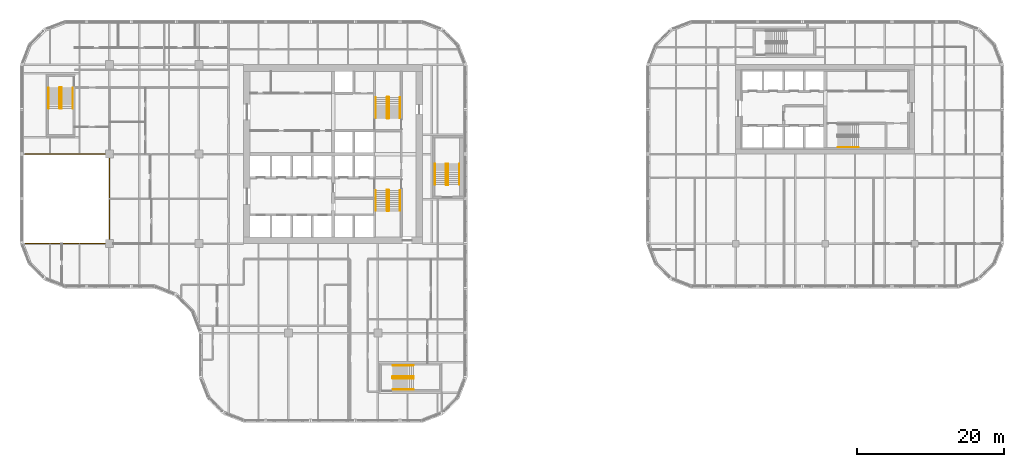
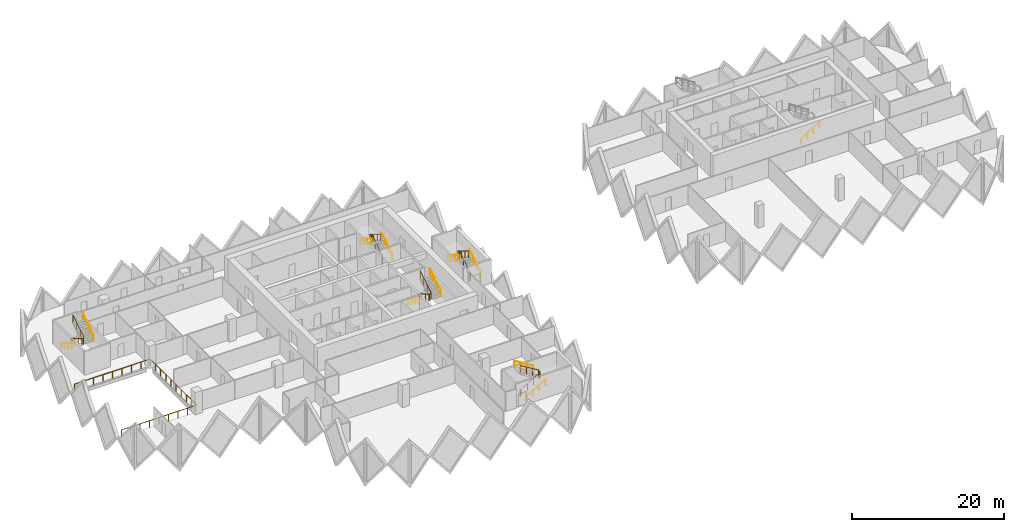
# One storey, part 17 of 18: 17 railings.
"""IFC4 building model written with IfcOpenShell, lengths in metres."""

from ifc_helpers import new_model, si_unit, direction, frame, origin, origin_2d, place, context, subcontext, project, spatial, circle, extrude, material, type_object, element, save


model = new_model("IFC4")

# Units and contexts
model_context = context("Model", 3, precision=1e-05, world=origin(), true_north=direction((0.0, 1.0)))
body_context = subcontext(model_context, "Body", "Model", "MODEL_VIEW")
ifc_project = project(units=[si_unit("LENGTHUNIT", "METRE"), si_unit("AREAUNIT", "SQUARE_METRE"), si_unit("VOLUMEUNIT", "CUBIC_METRE"), si_unit("PLANEANGLEUNIT", "RADIAN"), si_unit("MASSUNIT", "GRAM", prefix="KILO")], contexts=[model_context])

# Site, building, storey
site_placement = place(None, origin())
site = spatial("IfcSite", under=ifc_project, at=site_placement, CompositionType="ELEMENT")
building_placement = place(site_placement, origin())
building = spatial("IfcBuilding", under=site, at=building_placement, Name="Tessera Gate Towers", CompositionType="ELEMENT")
storey_placement = place(building_placement, frame((0.0, 0.0, 41.0)))
storey = spatial("IfcBuildingStorey", under=building, at=storey_placement, Name="L09", CompositionType="ELEMENT", Elevation=41.0)

# Railings
ifc_material_1 = material(Name="Toughened glass with stainless steel handrail", Category="steel")
railing_type_1 = type_object("IfcRailingType", Name="GUARD 1100 GLASS BALUSTRADE", PredefinedType="GUARDRAIL", material=ifc_material_1)
railing_1_placement = place(storey_placement, frame((0.750244140625, 24.39990234375, 0.0)))
element("IfcRailing", 1, at=railing_1_placement, inside=storey, type_object=railing_type_1, Name="Guard", PredefinedType="GUARDRAIL", context=body_context, shape_type="SweptSolid", body=[
    extrude(circle(Radius=0.02490234375, at=origin_2d()), frame((0.0, 0.0, 1.0751953125), z_axis=(1.0, 0.0, 0.0), x_axis=(0.0, 1.0, 0.0)), (0.0, 0.0, 1.0), 11.44970703125),
    extrude(circle(Radius=0.02490234375, at=origin_2d()), frame((11.44970703125, 0.0, 1.0751953125), z_axis=(0.0, 1.0, 0.0), x_axis=(-1.0, 0.0, 0.0)), (0.0, 0.0, 1.0), 12.2001953125),
    extrude(circle(Radius=0.02490234375, at=origin_2d()), frame((11.44970703125, 12.2001953125, 1.0751953125), z_axis=(-1.0, 0.0, 0.0), x_axis=(0.0, -1.0, 0.0)), (0.0, 0.0, 1.0), 11.5),
    extrude(circle(Radius=0.02490234375, at=origin_2d()), origin(), (0.0, 0.0, 1.0), 1.050048828125),
    extrude(circle(Radius=0.02490234375, at=origin_2d()), frame((1.43115234375, 0.0, 0.0)), (0.0, 0.0, 1.0), 1.050048828125),
    extrude(circle(Radius=0.02490234375, at=origin_2d()), frame((2.8623046875, 0.0, 0.0)), (0.0, 0.0, 1.0), 1.050048828125),
    extrude(circle(Radius=0.02490234375, at=origin_2d()), frame((4.293701171875, 0.0, 0.0)), (0.0, 0.0, 1.0), 1.050048828125),
    extrude(circle(Radius=0.02490234375, at=origin_2d()), frame((5.724853515625, 0.0, 0.0)), (0.0, 0.0, 1.0), 1.050048828125),
    extrude(circle(Radius=0.02490234375, at=origin_2d()), frame((7.156005859375, 0.0, 0.0)), (0.0, 0.0, 1.0), 1.050048828125),
    extrude(circle(Radius=0.02490234375, at=origin_2d()), frame((8.58740234375, 0.0, 0.0)), (0.0, 0.0, 1.0), 1.050048828125),
    extrude(circle(Radius=0.02490234375, at=origin_2d()), frame((10.0185546875, 0.0, 0.0)), (0.0, 0.0, 1.0), 1.050048828125),
    extrude(circle(Radius=0.02490234375, at=origin_2d()), frame((11.44970703125, 0.0, 0.0)), (0.0, 0.0, 1.0), 1.050048828125),
    extrude(circle(Radius=0.02490234375, at=origin_2d()), frame((11.44970703125, 1.35546875, 0.0)), (0.0, 0.0, 1.0), 1.050048828125),
    extrude(circle(Radius=0.02490234375, at=origin_2d()), frame((11.44970703125, 2.711181640625, 0.0)), (0.0, 0.0, 1.0), 1.050048828125),
    extrude(circle(Radius=0.02490234375, at=origin_2d()), frame((11.44970703125, 4.066650390625, 0.0)), (0.0, 0.0, 1.0), 1.050048828125),
    extrude(circle(Radius=0.02490234375, at=origin_2d()), frame((11.44970703125, 5.42236328125, 0.0)), (0.0, 0.0, 1.0), 1.050048828125),
    extrude(circle(Radius=0.02490234375, at=origin_2d()), frame((11.44970703125, 6.77783203125, 0.0)), (0.0, 0.0, 1.0), 1.050048828125),
    extrude(circle(Radius=0.02490234375, at=origin_2d()), frame((11.44970703125, 8.133544921875, 0.0)), (0.0, 0.0, 1.0), 1.050048828125),
    extrude(circle(Radius=0.02490234375, at=origin_2d()), frame((11.44970703125, 9.489013671875, 0.0)), (0.0, 0.0, 1.0), 1.050048828125),
    extrude(circle(Radius=0.02490234375, at=origin_2d()), frame((11.44970703125, 10.8447265625, 0.0)), (0.0, 0.0, 1.0), 1.050048828125),
    extrude(circle(Radius=0.02490234375, at=origin_2d()), frame((11.44970703125, 12.2001953125, 0.0)), (0.0, 0.0, 1.0), 1.050048828125),
    extrude(circle(Radius=0.02490234375, at=origin_2d()), frame((10.01220703125, 12.2001953125, 0.0)), (0.0, 0.0, 1.0), 1.050048828125),
    extrude(circle(Radius=0.02490234375, at=origin_2d()), frame((8.57470703125, 12.2001953125, 0.0)), (0.0, 0.0, 1.0), 1.050048828125),
    extrude(circle(Radius=0.02490234375, at=origin_2d()), frame((7.13720703125, 12.2001953125, 0.0)), (0.0, 0.0, 1.0), 1.050048828125),
    extrude(circle(Radius=0.02490234375, at=origin_2d()), frame((5.69970703125, 12.2001953125, 0.0)), (0.0, 0.0, 1.0), 1.050048828125),
    extrude(circle(Radius=0.02490234375, at=origin_2d()), frame((4.26220703125, 12.2001953125, 0.0)), (0.0, 0.0, 1.0), 1.050048828125),
    extrude(circle(Radius=0.02490234375, at=origin_2d()), frame((2.82470703125, 12.2001953125, 0.0)), (0.0, 0.0, 1.0), 1.050048828125),
    extrude(circle(Radius=0.02490234375, at=origin_2d()), frame((1.38720703125, 12.2001953125, 0.0)), (0.0, 0.0, 1.0), 1.050048828125),
    extrude(circle(Radius=0.02490234375, at=origin_2d()), frame((-0.05029296875, 12.2001953125, 0.0)), (0.0, 0.0, 1.0), 1.050048828125),
])
ifc_material_2 = material(Name="Steel 350W", Category="steel")
railing_type_2 = type_object("IfcRailingType", Name="STAIR GUARD 1100", PredefinedType="GUARDRAIL", material=ifc_material_2)
railing_2_placement = place(storey_placement, frame((50.27490234375, 31.72509765625, 0.0)))
element("IfcRailing", 2, at=railing_2_placement, inside=storey, type_object=railing_type_2, Name="L09 ST1 stair guard 1", PredefinedType="GUARDRAIL", context=body_context, shape_type="SweptSolid", body=[
    extrude(circle(Radius=0.02392578125, at=origin_2d()), frame((0.0, 0.0, 1.076171875), z_axis=(-1.0, 0.0, 0.0), x_axis=(0.0, -1.0, 0.0)), (0.0, 0.0, 1.0), 0.199951171875),
    extrude(circle(Radius=0.02392578125, at=origin_2d()), frame((-0.199951171875, 0.0, 1.076171875), z_axis=(-0.268277960024, -0.268277960024, 0.925231793839), x_axis=(0.707106781187, -0.707106781187, 0.0)), (0.0, 0.0, 1.0), 0.1865234375),
    extrude(circle(Radius=0.02392578125, at=origin_2d()), frame((-0.25, -0.050048828125, 1.24853515625), z_axis=(0.0, -0.851089632645, 0.525020415988), x_axis=(1.0, 0.0, 0.0)), (0.0, 0.0, 1.0), 3.2900390625),
    extrude(circle(Radius=0.02392578125, at=origin_2d()), frame((-0.25, -2.85009765625, 2.97607421875), z_axis=(0.707106781187, -0.707106781187, 0.0), x_axis=(0.707106781187, 0.707106781187, 0.0)), (0.0, 0.0, 1.0), 0.07080078125),
    extrude(circle(Radius=0.02392578125, at=origin_2d()), frame((-0.199951171875, -2.900146484375, 2.97607421875), z_axis=(1.0, 0.0, 0.0), x_axis=(0.0, 1.0, 0.0)), (0.0, 0.0, 1.0), 0.199951171875),
    extrude(circle(Radius=0.02392578125, at=origin_2d()), frame((0.0, -2.900146484375, 2.97607421875), z_axis=(0.267953482034, 0.267953482034, 0.925419830635), x_axis=(-0.707106781187, 0.707106781187, 0.0)), (0.0, 0.0, 1.0), 0.186767578125),
    extrude(circle(Radius=0.02392578125, at=origin_2d()), frame((0.050048828125, -2.85009765625, 3.14892578125), z_axis=(0.0, 0.851089632645, 0.525020415988), x_axis=(-1.0, 0.0, 0.0)), (0.0, 0.0, 1.0), 3.2900390625),
    extrude(circle(Radius=0.02099609375, at=origin_2d()), origin(), (0.0, 0.0, 1.0), 1.052001953125),
    extrude(circle(Radius=0.02099609375, at=origin_2d()), frame((-0.199951171875, 0.0, 0.0)), (0.0, 0.0, 1.0), 1.052001953125),
    extrude(circle(Radius=0.02099609375, at=origin_2d()), frame((-0.25, -0.050048828125, 0.172607421875)), (0.0, 0.0, 1.0), 1.052001953125),
    extrude(circle(Radius=0.02099609375, at=origin_2d()), frame((-0.25, -0.9833984375, 0.748291015625)), (0.0, 0.0, 1.0), 1.052001953125),
    extrude(circle(Radius=0.02099609375, at=origin_2d()), frame((-0.25, -1.916748046875, 1.32421875)), (0.0, 0.0, 1.0), 1.052001953125),
    extrude(circle(Radius=0.02099609375, at=origin_2d()), frame((-0.25, -2.85009765625, 1.89990234375)), (0.0, 0.0, 1.0), 1.052001953125),
    extrude(circle(Radius=0.02099609375, at=origin_2d()), frame((-0.199951171875, -2.900146484375, 1.89990234375)), (0.0, 0.0, 1.0), 1.052001953125),
    extrude(circle(Radius=0.02099609375, at=origin_2d()), frame((0.0, -2.900146484375, 1.89990234375)), (0.0, 0.0, 1.0), 1.052001953125),
    extrude(circle(Radius=0.02099609375, at=origin_2d()), frame((0.050048828125, -2.85009765625, 2.07275390625)), (0.0, 0.0, 1.0), 1.052001953125),
    extrude(circle(Radius=0.02099609375, at=origin_2d()), frame((0.050048828125, -1.916748046875, 2.6484375)), (0.0, 0.0, 1.0), 1.052001953125),
    extrude(circle(Radius=0.02099609375, at=origin_2d()), frame((0.050048828125, -0.9833984375, 3.224365234375)), (0.0, 0.0, 1.0), 1.052001953125),
    extrude(circle(Radius=0.02099609375, at=origin_2d()), frame((0.050048828125, -0.050048828125, 3.800048828125)), (0.0, 0.0, 1.0), 1.052001953125),
])
railing_3_placement = place(storey_placement, frame((50.074951171875, 41.47509765625, 0.0)))
element("IfcRailing", 3, at=railing_3_placement, inside=storey, type_object=railing_type_2, Name="L09 ST2 stair guard 1", PredefinedType="GUARDRAIL", context=body_context, shape_type="SweptSolid", body=[
    extrude(circle(Radius=0.02392578125, at=origin_2d()), frame((0.0, 0.0, 1.076171875), z_axis=(1.0, 0.0, 0.0), x_axis=(0.0, 1.0, 0.0)), (0.0, 0.0, 1.0), 0.199951171875),
    extrude(circle(Radius=0.02392578125, at=origin_2d()), frame((0.199951171875, 0.0, 1.076171875), z_axis=(0.268371968888, 0.267062837333, 0.925556009775), x_axis=(-0.705375805398, 0.708833529934, 0.0)), (0.0, 0.0, 1.0), 0.1865234375),
    extrude(circle(Radius=0.02392578125, at=origin_2d()), frame((0.25, 0.0498046875, 1.24853515625), z_axis=(0.0, 0.851089632645, 0.525020415988), x_axis=(-1.0, 0.0, 0.0)), (0.0, 0.0, 1.0), 3.2900390625),
    extrude(circle(Radius=0.02392578125, at=origin_2d()), frame((0.25, 2.849853515625, 2.97607421875), z_axis=(-0.707106781187, 0.707106781187, 0.0), x_axis=(-0.707106781187, -0.707106781187, 0.0)), (0.0, 0.0, 1.0), 0.07080078125),
    extrude(circle(Radius=0.02392578125, at=origin_2d()), frame((0.199951171875, 2.89990234375, 2.97607421875), z_axis=(-1.0, 0.0, 0.0), x_axis=(0.0, -1.0, 0.0)), (0.0, 0.0, 1.0), 0.199951171875),
    extrude(circle(Radius=0.02392578125, at=origin_2d()), frame((0.0, 2.89990234375, 2.97607421875), z_axis=(-0.267953482034, -0.267953482034, 0.925419830635), x_axis=(0.707106781187, -0.707106781187, 0.0)), (0.0, 0.0, 1.0), 0.186767578125),
    extrude(circle(Radius=0.02392578125, at=origin_2d()), frame((-0.050048828125, 2.849853515625, 3.14892578125), z_axis=(0.0, -0.851089632645, 0.525020415988), x_axis=(1.0, 0.0, 0.0)), (0.0, 0.0, 1.0), 3.2900390625),
    extrude(circle(Radius=0.02099609375, at=origin_2d()), origin(), (0.0, 0.0, 1.0), 1.052001953125),
    extrude(circle(Radius=0.02099609375, at=origin_2d()), frame((0.199951171875, 0.0, 0.0)), (0.0, 0.0, 1.0), 1.052001953125),
    extrude(circle(Radius=0.02099609375, at=origin_2d()), frame((0.25, 0.0498046875, 0.172607421875)), (0.0, 0.0, 1.0), 1.052001953125),
    extrude(circle(Radius=0.02099609375, at=origin_2d()), frame((0.25, 0.983154296875, 0.748291015625)), (0.0, 0.0, 1.0), 1.052001953125),
    extrude(circle(Radius=0.02099609375, at=origin_2d()), frame((0.25, 1.91650390625, 1.32421875)), (0.0, 0.0, 1.0), 1.052001953125),
    extrude(circle(Radius=0.02099609375, at=origin_2d()), frame((0.25, 2.849853515625, 1.89990234375)), (0.0, 0.0, 1.0), 1.052001953125),
    extrude(circle(Radius=0.02099609375, at=origin_2d()), frame((0.199951171875, 2.89990234375, 1.89990234375)), (0.0, 0.0, 1.0), 1.052001953125),
    extrude(circle(Radius=0.02099609375, at=origin_2d()), frame((0.0, 2.89990234375, 1.89990234375)), (0.0, 0.0, 1.0), 1.052001953125),
    extrude(circle(Radius=0.02099609375, at=origin_2d()), frame((-0.050048828125, 2.849853515625, 2.07275390625)), (0.0, 0.0, 1.0), 1.052001953125),
    extrude(circle(Radius=0.02099609375, at=origin_2d()), frame((-0.050048828125, 1.91650390625, 2.6484375)), (0.0, 0.0, 1.0), 1.052001953125),
    extrude(circle(Radius=0.02099609375, at=origin_2d()), frame((-0.050048828125, 0.983154296875, 3.224365234375)), (0.0, 0.0, 1.0), 1.052001953125),
    extrude(circle(Radius=0.02099609375, at=origin_2d()), frame((-0.050048828125, 0.0498046875, 3.800048828125)), (0.0, 0.0, 1.0), 1.052001953125),
])
railing_4_placement = place(storey_placement, frame((5.64990234375, 45.699951171875, 0.0)))
element("IfcRailing", 4, at=railing_4_placement, inside=storey, type_object=railing_type_2, Name="L09 ST3 stair guard 1", PredefinedType="GUARDRAIL", context=body_context, shape_type="SweptSolid", body=[
    extrude(circle(Radius=0.02392578125, at=origin_2d()), frame((0.0, 0.0, 1.076171875), z_axis=(-1.0, 0.0, 0.0), x_axis=(0.0, -1.0, 0.0)), (0.0, 0.0, 1.0), 0.199951171875),
    extrude(circle(Radius=0.02392578125, at=origin_2d()), frame((-0.199951171875, 0.0, 1.076171875), z_axis=(-0.268277960024, -0.268277960024, 0.925231793839), x_axis=(0.707106781187, -0.707106781187, 0.0)), (0.0, 0.0, 1.0), 0.1865234375),
    extrude(circle(Radius=0.02392578125, at=origin_2d()), frame((-0.25, -0.050048828125, 1.24853515625), z_axis=(0.0, -0.851069175582, 0.525053576669), x_axis=(1.0, 0.0, 0.0)), (0.0, 0.0, 1.0), 3.289794921875),
    extrude(circle(Radius=0.02392578125, at=origin_2d()), frame((-0.25, -2.849853515625, 2.97607421875), z_axis=(0.707106781187, -0.707106781187, 0.0), x_axis=(0.707106781187, 0.707106781187, 0.0)), (0.0, 0.0, 1.0), 0.07080078125),
    extrude(circle(Radius=0.02392578125, at=origin_2d()), frame((-0.199951171875, -2.89990234375, 2.97607421875), z_axis=(1.0, 0.0, 0.0), x_axis=(0.0, 1.0, 0.0)), (0.0, 0.0, 1.0), 0.199951171875),
    extrude(circle(Radius=0.02392578125, at=origin_2d()), frame((0.0, -2.89990234375, 2.97607421875), z_axis=(0.267953482034, 0.267953482034, 0.925419830635), x_axis=(-0.707106781187, 0.707106781187, 0.0)), (0.0, 0.0, 1.0), 0.186767578125),
    extrude(circle(Radius=0.02392578125, at=origin_2d()), frame((0.050048828125, -2.849853515625, 3.14892578125), z_axis=(0.0, 0.851069175582, 0.525053576669), x_axis=(-1.0, 0.0, 0.0)), (0.0, 0.0, 1.0), 3.289794921875),
    extrude(circle(Radius=0.02099609375, at=origin_2d()), origin(), (0.0, 0.0, 1.0), 1.052001953125),
    extrude(circle(Radius=0.02099609375, at=origin_2d()), frame((-0.199951171875, 0.0, 0.0)), (0.0, 0.0, 1.0), 1.052001953125),
    extrude(circle(Radius=0.02099609375, at=origin_2d()), frame((-0.25, -0.050048828125, 0.172607421875)), (0.0, 0.0, 1.0), 1.052001953125),
    extrude(circle(Radius=0.02099609375, at=origin_2d()), frame((-0.25, -0.9833984375, 0.748291015625)), (0.0, 0.0, 1.0), 1.052001953125),
    extrude(circle(Radius=0.02099609375, at=origin_2d()), frame((-0.25, -1.91650390625, 1.32421875)), (0.0, 0.0, 1.0), 1.052001953125),
    extrude(circle(Radius=0.02099609375, at=origin_2d()), frame((-0.25, -2.849853515625, 1.89990234375)), (0.0, 0.0, 1.0), 1.052001953125),
    extrude(circle(Radius=0.02099609375, at=origin_2d()), frame((-0.199951171875, -2.89990234375, 1.89990234375)), (0.0, 0.0, 1.0), 1.052001953125),
    extrude(circle(Radius=0.02099609375, at=origin_2d()), frame((0.0, -2.89990234375, 1.89990234375)), (0.0, 0.0, 1.0), 1.052001953125),
    extrude(circle(Radius=0.02099609375, at=origin_2d()), frame((0.050048828125, -2.849853515625, 2.07275390625)), (0.0, 0.0, 1.0), 1.052001953125),
    extrude(circle(Radius=0.02099609375, at=origin_2d()), frame((0.050048828125, -1.91650390625, 2.6484375)), (0.0, 0.0, 1.0), 1.052001953125),
    extrude(circle(Radius=0.02099609375, at=origin_2d()), frame((0.050048828125, -0.9833984375, 3.224365234375)), (0.0, 0.0, 1.0), 1.052001953125),
    extrude(circle(Radius=0.02099609375, at=origin_2d()), frame((0.050048828125, -0.050048828125, 3.800048828125)), (0.0, 0.0, 1.0), 1.052001953125),
])
railing_5_placement = place(storey_placement, frame((50.800048828125, 6.25, 0.0)))
element("IfcRailing", 5, at=railing_5_placement, inside=storey, type_object=railing_type_2, Name="L09 ST4 stair guard 1", PredefinedType="GUARDRAIL", context=body_context, shape_type="SweptSolid", body=[
    extrude(circle(Radius=0.02392578125, at=origin_2d()), frame((0.0, 0.0, 1.076171875), z_axis=(0.0, -1.0, 0.0), x_axis=(1.0, 0.0, 0.0)), (0.0, 0.0, 1.0), 0.199951171875),
    extrude(circle(Radius=0.02392578125, at=origin_2d()), frame((0.0, -0.199951171875, 1.076171875), z_axis=(0.268277960024, -0.268277960024, 0.925231793839), x_axis=(0.707106781187, 0.707106781187, 0.0)), (0.0, 0.0, 1.0), 0.1865234375),
    extrude(circle(Radius=0.02392578125, at=origin_2d()), frame((0.050048828125, -0.25, 1.24853515625), z_axis=(0.851069175582, 0.0, 0.525053576669), x_axis=(0.0, 1.0, 0.0)), (0.0, 0.0, 1.0), 3.289794921875),
    extrude(circle(Radius=0.02392578125, at=origin_2d()), frame((2.849853515625, -0.25, 2.97607421875), z_axis=(0.707106781187, 0.707106781187, 0.0), x_axis=(-0.707106781187, 0.707106781187, 0.0)), (0.0, 0.0, 1.0), 0.07080078125),
    extrude(circle(Radius=0.02392578125, at=origin_2d()), frame((2.89990234375, -0.199951171875, 2.97607421875), z_axis=(0.0, 1.0, 0.0), x_axis=(-1.0, 0.0, 0.0)), (0.0, 0.0, 1.0), 0.199951171875),
    extrude(circle(Radius=0.02392578125, at=origin_2d()), frame((2.89990234375, 0.0, 2.97607421875), z_axis=(-0.267953482034, 0.267953482034, 0.925419830635), x_axis=(-0.707106781187, -0.707106781187, 0.0)), (0.0, 0.0, 1.0), 0.186767578125),
    extrude(circle(Radius=0.02392578125, at=origin_2d()), frame((2.849853515625, 0.050048828125, 3.14892578125), z_axis=(-0.851069175582, 0.0, 0.525053576669), x_axis=(0.0, -1.0, 0.0)), (0.0, 0.0, 1.0), 3.289794921875),
    extrude(circle(Radius=0.02099609375, at=origin_2d()), origin(), (0.0, 0.0, 1.0), 1.052001953125),
    extrude(circle(Radius=0.02099609375, at=origin_2d()), frame((0.0, -0.199951171875, 0.0)), (0.0, 0.0, 1.0), 1.052001953125),
    extrude(circle(Radius=0.02099609375, at=origin_2d()), frame((0.050048828125, -0.25, 0.172607421875)), (0.0, 0.0, 1.0), 1.052001953125),
    extrude(circle(Radius=0.02099609375, at=origin_2d()), frame((0.9833984375, -0.25, 0.748291015625)), (0.0, 0.0, 1.0), 1.052001953125),
    extrude(circle(Radius=0.02099609375, at=origin_2d()), frame((1.91650390625, -0.25, 1.32421875)), (0.0, 0.0, 1.0), 1.052001953125),
    extrude(circle(Radius=0.02099609375, at=origin_2d()), frame((2.849853515625, -0.25, 1.89990234375)), (0.0, 0.0, 1.0), 1.052001953125),
    extrude(circle(Radius=0.02099609375, at=origin_2d()), frame((2.89990234375, -0.199951171875, 1.89990234375)), (0.0, 0.0, 1.0), 1.052001953125),
    extrude(circle(Radius=0.02099609375, at=origin_2d()), frame((2.89990234375, 0.0, 1.89990234375)), (0.0, 0.0, 1.0), 1.052001953125),
    extrude(circle(Radius=0.02099609375, at=origin_2d()), frame((2.849853515625, 0.050048828125, 2.07275390625)), (0.0, 0.0, 1.0), 1.052001953125),
    extrude(circle(Radius=0.02099609375, at=origin_2d()), frame((1.91650390625, 0.050048828125, 2.6484375)), (0.0, 0.0, 1.0), 1.052001953125),
    extrude(circle(Radius=0.02099609375, at=origin_2d()), frame((0.9833984375, 0.050048828125, 3.224365234375)), (0.0, 0.0, 1.0), 1.052001953125),
    extrude(circle(Radius=0.02099609375, at=origin_2d()), frame((0.050048828125, 0.050048828125, 3.800048828125)), (0.0, 0.0, 1.0), 1.052001953125),
])
railing_6_placement = place(storey_placement, frame((58.14990234375, 32.39990234375, 0.0)))
element("IfcRailing", 6, at=railing_6_placement, inside=storey, type_object=railing_type_2, Name="L09 ST5 stair guard 1", PredefinedType="GUARDRAIL", context=body_context, shape_type="SweptSolid", body=[
    extrude(circle(Radius=0.02392578125, at=origin_2d()), frame((0.0, 0.0, 1.076171875), z_axis=(1.0, 0.0, 0.0), x_axis=(0.0, 1.0, 0.0)), (0.0, 0.0, 1.0), 0.2001953125),
    extrude(circle(Radius=0.02392578125, at=origin_2d()), frame((0.2001953125, 0.0, 1.076171875), z_axis=(0.267062837333, 0.268371968888, 0.925556009775), x_axis=(-0.708833529934, 0.705375805398, 0.0)), (0.0, 0.0, 1.0), 0.1865234375),
    extrude(circle(Radius=0.02392578125, at=origin_2d()), frame((0.25, 0.050048828125, 1.24853515625), z_axis=(0.0, 0.851089632645, 0.525020415988), x_axis=(-1.0, 0.0, 0.0)), (0.0, 0.0, 1.0), 3.2900390625),
    extrude(circle(Radius=0.02392578125, at=origin_2d()), frame((0.25, 2.85009765625, 2.97607421875), z_axis=(-0.705375805398, 0.708833529934, 0.0), x_axis=(-0.708833529934, -0.705375805398, 0.0)), (0.0, 0.0, 1.0), 0.070556640625),
    extrude(circle(Radius=0.02392578125, at=origin_2d()), frame((0.2001953125, 2.900146484375, 2.97607421875), z_axis=(-1.0, 0.0, 0.0), x_axis=(0.0, -1.0, 0.0)), (0.0, 0.0, 1.0), 0.2001953125),
    extrude(circle(Radius=0.02392578125, at=origin_2d()), frame((0.0, 2.900146484375, 2.97607421875), z_axis=(-0.266739603011, -0.268047150085, 0.925743328097), x_axis=(0.708833529934, -0.705375805398, 0.0)), (0.0, 0.0, 1.0), 0.186767578125),
    extrude(circle(Radius=0.02392578125, at=origin_2d()), frame((-0.0498046875, 2.85009765625, 3.14892578125), z_axis=(0.0, -0.851089632645, 0.525020415988), x_axis=(1.0, 0.0, 0.0)), (0.0, 0.0, 1.0), 3.2900390625),
    extrude(circle(Radius=0.02099609375, at=origin_2d()), origin(), (0.0, 0.0, 1.0), 1.052001953125),
    extrude(circle(Radius=0.02099609375, at=origin_2d()), frame((0.2001953125, 0.0, 0.0)), (0.0, 0.0, 1.0), 1.052001953125),
    extrude(circle(Radius=0.02099609375, at=origin_2d()), frame((0.25, 0.050048828125, 0.172607421875)), (0.0, 0.0, 1.0), 1.052001953125),
    extrude(circle(Radius=0.02099609375, at=origin_2d()), frame((0.25, 0.9833984375, 0.748291015625)), (0.0, 0.0, 1.0), 1.052001953125),
    extrude(circle(Radius=0.02099609375, at=origin_2d()), frame((0.25, 1.916748046875, 1.32421875)), (0.0, 0.0, 1.0), 1.052001953125),
    extrude(circle(Radius=0.02099609375, at=origin_2d()), frame((0.25, 2.85009765625, 1.89990234375)), (0.0, 0.0, 1.0), 1.052001953125),
    extrude(circle(Radius=0.02099609375, at=origin_2d()), frame((0.2001953125, 2.900146484375, 1.89990234375)), (0.0, 0.0, 1.0), 1.052001953125),
    extrude(circle(Radius=0.02099609375, at=origin_2d()), frame((0.0, 2.900146484375, 1.89990234375)), (0.0, 0.0, 1.0), 1.052001953125),
    extrude(circle(Radius=0.02099609375, at=origin_2d()), frame((-0.0498046875, 2.85009765625, 2.07275390625)), (0.0, 0.0, 1.0), 1.052001953125),
    extrude(circle(Radius=0.02099609375, at=origin_2d()), frame((-0.0498046875, 1.916748046875, 2.6484375)), (0.0, 0.0, 1.0), 1.052001953125),
    extrude(circle(Radius=0.02099609375, at=origin_2d()), frame((-0.0498046875, 0.9833984375, 3.224365234375)), (0.0, 0.0, 1.0), 1.052001953125),
    extrude(circle(Radius=0.02099609375, at=origin_2d()), frame((-0.0498046875, 0.050048828125, 3.800048828125)), (0.0, 0.0, 1.0), 1.052001953125),
])
ifc_material_3 = material(Name="Steel 350W", Category="steel")
railing_type_3 = type_object("IfcRailingType", Name="STAIR HANDRAIL 900", PredefinedType="HANDRAIL", material=ifc_material_3)
railing_7_placement = place(storey_placement, frame((48.52490234375, 31.675048828125, 0.172607421875)))
element("IfcRailing", 7, at=railing_7_placement, inside=storey, type_object=railing_type_3, Name="L09 ST1 stair handrail 1", PredefinedType="HANDRAIL", context=body_context, shape_type="SweptSolid", body=[
    extrude(circle(Radius=0.02392578125, at=origin_2d()), frame((0.0, 0.0, 0.8759765625), z_axis=(0.0, -0.851089632645, 0.525020415988), x_axis=(1.0, 0.0, 0.0)), (0.0, 0.0, 1.0), 3.2900390625),
    extrude(circle(Radius=0.02099609375, at=origin_2d()), origin(), (0.0, 0.0, 1.0), 0.851806640625),
    extrude(circle(Radius=0.02099609375, at=origin_2d()), frame((0.0, -0.933349609375, 0.57568359375)), (0.0, 0.0, 1.0), 0.851806640625),
    extrude(circle(Radius=0.02099609375, at=origin_2d()), frame((0.0, -1.86669921875, 1.151611328125)), (0.0, 0.0, 1.0), 0.851806640625),
    extrude(circle(Radius=0.02099609375, at=origin_2d()), frame((0.0, -2.800048828125, 1.727294921875)), (0.0, 0.0, 1.0), 0.851806640625),
])
for number, where, name in (
    (8, (51.824951171875, 28.875, 2.07275390625), "L09 ST1 stair handrail 2"),
    (9, (51.824951171875, 41.52490234375, 0.172607421875), "L09 ST2 stair handrail 1"),
):
    element("IfcRailing", number, at=place(storey_placement, frame(where)), inside=storey, type_object=railing_type_3, Name=name, PredefinedType="HANDRAIL", context=body_context, shape_type="SweptSolid", body=[
        extrude(circle(Radius=0.02392578125, at=origin_2d()), frame((0.0, 0.0, 0.8759765625), z_axis=(0.0, 0.851089632645, 0.525020415988), x_axis=(-1.0, 0.0, 0.0)), (0.0, 0.0, 1.0), 3.2900390625),
        extrude(circle(Radius=0.02099609375, at=origin_2d()), origin(), (0.0, 0.0, 1.0), 0.851806640625),
        extrude(circle(Radius=0.02099609375, at=origin_2d()), frame((0.0, 0.933349609375, 0.57568359375)), (0.0, 0.0, 1.0), 0.851806640625),
        extrude(circle(Radius=0.02099609375, at=origin_2d()), frame((0.0, 1.86669921875, 1.151611328125)), (0.0, 0.0, 1.0), 0.851806640625),
        extrude(circle(Radius=0.02099609375, at=origin_2d()), frame((0.0, 2.800048828125, 1.727294921875)), (0.0, 0.0, 1.0), 0.851806640625),
    ])
railing_8_placement = place(storey_placement, frame((48.52490234375, 44.324951171875, 2.07275390625)))
element("IfcRailing", 10, at=railing_8_placement, inside=storey, type_object=railing_type_3, Name="L09 ST2 stair handrail 2", PredefinedType="HANDRAIL", context=body_context, shape_type="SweptSolid", body=[
    extrude(circle(Radius=0.02392578125, at=origin_2d()), frame((0.0, 0.0, 0.8759765625), z_axis=(0.0, -0.851089632645, 0.525020415988), x_axis=(1.0, 0.0, 0.0)), (0.0, 0.0, 1.0), 3.2900390625),
    extrude(circle(Radius=0.02099609375, at=origin_2d()), origin(), (0.0, 0.0, 1.0), 0.851806640625),
    extrude(circle(Radius=0.02099609375, at=origin_2d()), frame((0.0, -0.933349609375, 0.57568359375)), (0.0, 0.0, 1.0), 0.851806640625),
    extrude(circle(Radius=0.02099609375, at=origin_2d()), frame((0.0, -1.86669921875, 1.151611328125)), (0.0, 0.0, 1.0), 0.851806640625),
    extrude(circle(Radius=0.02099609375, at=origin_2d()), frame((0.0, -2.800048828125, 1.727294921875)), (0.0, 0.0, 1.0), 0.851806640625),
])
railing_9_placement = place(storey_placement, frame((3.89990234375, 45.64990234375, 0.172607421875)))
element("IfcRailing", 11, at=railing_9_placement, inside=storey, type_object=railing_type_3, Name="L09 ST3 stair handrail 1", PredefinedType="HANDRAIL", context=body_context, shape_type="SweptSolid", body=[
    extrude(circle(Radius=0.02392578125, at=origin_2d()), frame((0.0, 0.0, 0.8759765625), z_axis=(0.0, -0.851069175582, 0.525053576669), x_axis=(1.0, 0.0, 0.0)), (0.0, 0.0, 1.0), 3.289794921875),
    extrude(circle(Radius=0.02099609375, at=origin_2d()), origin(), (0.0, 0.0, 1.0), 0.851806640625),
    extrude(circle(Radius=0.02099609375, at=origin_2d()), frame((0.0, -0.933349609375, 0.57568359375)), (0.0, 0.0, 1.0), 0.851806640625),
    extrude(circle(Radius=0.02099609375, at=origin_2d()), frame((0.0, -1.866455078125, 1.151611328125)), (0.0, 0.0, 1.0), 0.851806640625),
    extrude(circle(Radius=0.02099609375, at=origin_2d()), frame((0.0, -2.7998046875, 1.727294921875)), (0.0, 0.0, 1.0), 0.851806640625),
])
railing_10_placement = place(storey_placement, frame((7.199951171875, 42.85009765625, 2.07275390625)))
element("IfcRailing", 12, at=railing_10_placement, inside=storey, type_object=railing_type_3, Name="L09 ST3 stair handrail 2", PredefinedType="HANDRAIL", context=body_context, shape_type="SweptSolid", body=[
    extrude(circle(Radius=0.02392578125, at=origin_2d()), frame((0.0, 0.0, 0.8759765625), z_axis=(0.0, 0.851069175582, 0.525053576669), x_axis=(-1.0, 0.0, 0.0)), (0.0, 0.0, 1.0), 3.289794921875),
    extrude(circle(Radius=0.02099609375, at=origin_2d()), origin(), (0.0, 0.0, 1.0), 0.851806640625),
    extrude(circle(Radius=0.02099609375, at=origin_2d()), frame((0.0, 0.933349609375, 0.57568359375)), (0.0, 0.0, 1.0), 0.851806640625),
    extrude(circle(Radius=0.02099609375, at=origin_2d()), frame((0.0, 1.866455078125, 1.151611328125)), (0.0, 0.0, 1.0), 0.851806640625),
    extrude(circle(Radius=0.02099609375, at=origin_2d()), frame((0.0, 2.7998046875, 1.727294921875)), (0.0, 0.0, 1.0), 0.851806640625),
])
railing_11_placement = place(storey_placement, frame((50.85009765625, 4.5, 0.172607421875)))
element("IfcRailing", 13, at=railing_11_placement, inside=storey, type_object=railing_type_3, Name="L09 ST4 stair handrail 1", PredefinedType="HANDRAIL", context=body_context, shape_type="SweptSolid", body=[
    extrude(circle(Radius=0.02392578125, at=origin_2d()), frame((0.0, 0.0, 0.8759765625), z_axis=(0.851069175582, 0.0, 0.525053576669), x_axis=(0.0, 1.0, 0.0)), (0.0, 0.0, 1.0), 3.289794921875),
    extrude(circle(Radius=0.02099609375, at=origin_2d()), origin(), (0.0, 0.0, 1.0), 0.851806640625),
    extrude(circle(Radius=0.02099609375, at=origin_2d()), frame((0.933349609375, 0.0, 0.57568359375)), (0.0, 0.0, 1.0), 0.851806640625),
    extrude(circle(Radius=0.02099609375, at=origin_2d()), frame((1.866455078125, 0.0, 1.151611328125)), (0.0, 0.0, 1.0), 0.851806640625),
    extrude(circle(Radius=0.02099609375, at=origin_2d()), frame((2.7998046875, 0.0, 1.727294921875)), (0.0, 0.0, 1.0), 0.851806640625),
])
railing_12_placement = place(storey_placement, frame((53.64990234375, 7.800048828125, 2.07275390625)))
element("IfcRailing", 14, at=railing_12_placement, inside=storey, type_object=railing_type_3, Name="L09 ST4 stair handrail 2", PredefinedType="HANDRAIL", context=body_context, shape_type="SweptSolid", body=[
    extrude(circle(Radius=0.02392578125, at=origin_2d()), frame((0.0, 0.0, 0.8759765625), z_axis=(-0.851069175582, 0.0, 0.525053576669), x_axis=(0.0, -1.0, 0.0)), (0.0, 0.0, 1.0), 3.289794921875),
    extrude(circle(Radius=0.02099609375, at=origin_2d()), origin(), (0.0, 0.0, 1.0), 0.851806640625),
    extrude(circle(Radius=0.02099609375, at=origin_2d()), frame((-0.933349609375, 0.0, 0.57568359375)), (0.0, 0.0, 1.0), 0.851806640625),
    extrude(circle(Radius=0.02099609375, at=origin_2d()), frame((-1.866455078125, 0.0, 1.151611328125)), (0.0, 0.0, 1.0), 0.851806640625),
    extrude(circle(Radius=0.02099609375, at=origin_2d()), frame((-2.7998046875, 0.0, 1.727294921875)), (0.0, 0.0, 1.0), 0.851806640625),
])
railing_13_placement = place(storey_placement, frame((59.89990234375, 32.449951171875, 0.172607421875)))
element("IfcRailing", 15, at=railing_13_placement, inside=storey, type_object=railing_type_3, Name="L09 ST5 stair handrail 1", PredefinedType="HANDRAIL", context=body_context, shape_type="SweptSolid", body=[
    extrude(circle(Radius=0.02392578125, at=origin_2d()), frame((0.0, 0.0, 0.8759765625), z_axis=(0.0, 0.851089632645, 0.525020415988), x_axis=(-1.0, 0.0, 0.0)), (0.0, 0.0, 1.0), 3.2900390625),
    extrude(circle(Radius=0.02099609375, at=origin_2d()), origin(), (0.0, 0.0, 1.0), 0.851806640625),
    extrude(circle(Radius=0.02099609375, at=origin_2d()), frame((0.0, 0.933349609375, 0.57568359375)), (0.0, 0.0, 1.0), 0.851806640625),
    extrude(circle(Radius=0.02099609375, at=origin_2d()), frame((0.0, 1.86669921875, 1.151611328125)), (0.0, 0.0, 1.0), 0.851806640625),
    extrude(circle(Radius=0.02099609375, at=origin_2d()), frame((0.0, 2.800048828125, 1.727294921875)), (0.0, 0.0, 1.0), 0.851806640625),
])
railing_14_placement = place(storey_placement, frame((56.60009765625, 35.25, 2.07275390625)))
element("IfcRailing", 16, at=railing_14_placement, inside=storey, type_object=railing_type_3, Name="L09 ST5 stair handrail 2", PredefinedType="HANDRAIL", context=body_context, shape_type="SweptSolid", body=[
    extrude(circle(Radius=0.02392578125, at=origin_2d()), frame((0.0, 0.0, 0.8759765625), z_axis=(0.0, -0.851089632645, 0.525020415988), x_axis=(1.0, 0.0, 0.0)), (0.0, 0.0, 1.0), 3.2900390625),
    extrude(circle(Radius=0.02099609375, at=origin_2d()), origin(), (0.0, 0.0, 1.0), 0.851806640625),
    extrude(circle(Radius=0.02099609375, at=origin_2d()), frame((0.0, -0.933349609375, 0.57568359375)), (0.0, 0.0, 1.0), 0.851806640625),
    extrude(circle(Radius=0.02099609375, at=origin_2d()), frame((0.0, -1.86669921875, 1.151611328125)), (0.0, 0.0, 1.0), 0.851806640625),
    extrude(circle(Radius=0.02099609375, at=origin_2d()), frame((0.0, -2.800048828125, 1.727294921875)), (0.0, 0.0, 1.0), 0.851806640625),
])
railing_15_placement = place(storey_placement, frame((111.550048828125, 37.550048828125, 0.172607421875)))
element("IfcRailing", 17, at=railing_15_placement, inside=storey, type_object=railing_type_3, Name="L09 ST6 stair handrail 1", PredefinedType="HANDRAIL", context=body_context, shape_type="SweptSolid", body=[
    extrude(circle(Radius=0.02392578125, at=origin_2d()), frame((0.0, 0.0, 0.8759765625), z_axis=(0.851089632645, 0.0, 0.525020415988), x_axis=(0.0, 1.0, 0.0)), (0.0, 0.0, 1.0), 3.2900390625),
    extrude(circle(Radius=0.02099609375, at=origin_2d()), origin(), (0.0, 0.0, 1.0), 0.851806640625),
    extrude(circle(Radius=0.02099609375, at=origin_2d()), frame((0.933349609375, 0.0, 0.57568359375)), (0.0, 0.0, 1.0), 0.851806640625),
    extrude(circle(Radius=0.02099609375, at=origin_2d()), frame((1.86669921875, 0.0, 1.151611328125)), (0.0, 0.0, 1.0), 0.851806640625),
    extrude(circle(Radius=0.02099609375, at=origin_2d()), frame((2.800048828125, 0.0, 1.727294921875)), (0.0, 0.0, 1.0), 0.851806640625),
])

save(model, "model.ifc")
